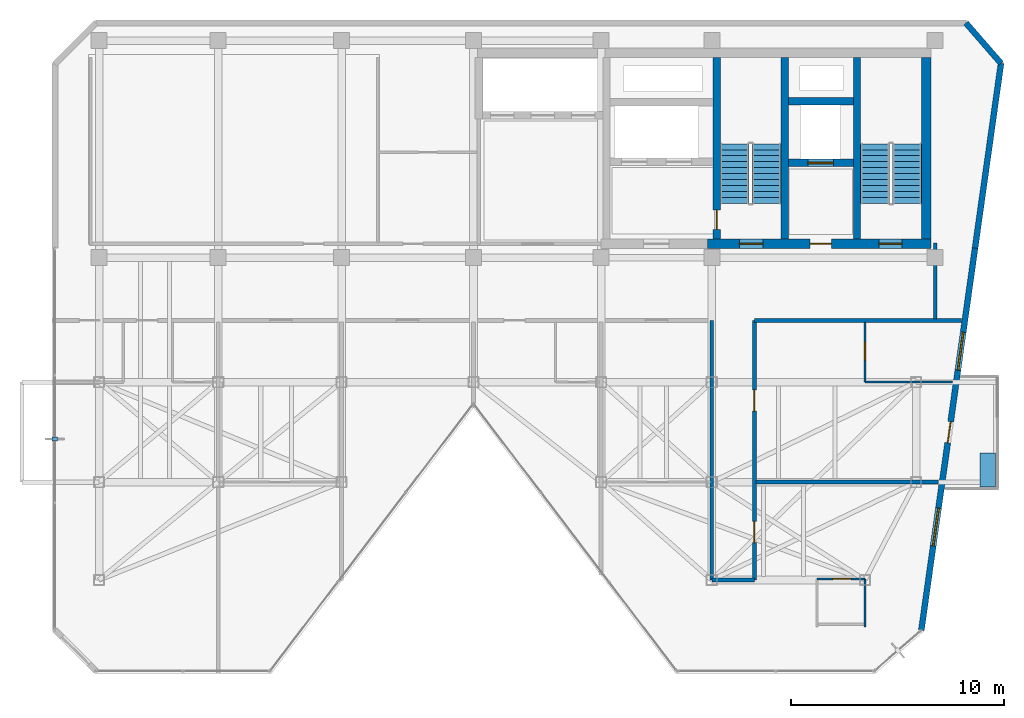
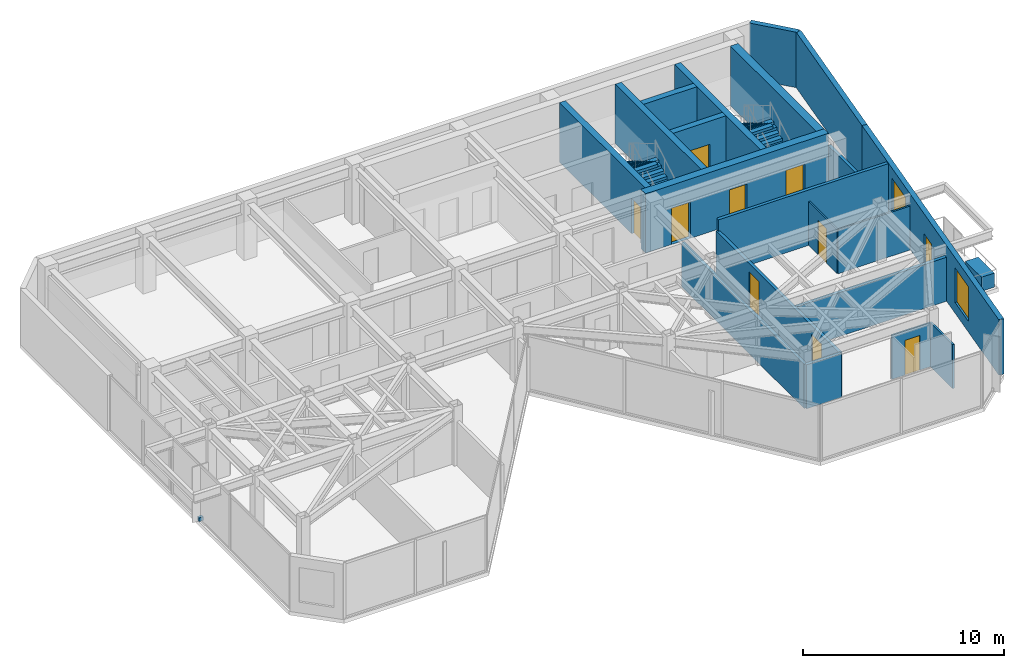
# One storey, part 17 of 20: 20 walls, 10 doors, 4 stair flights, 2 discrete accessories, 2 windows, 12 openings, 2 elements without a shape of their own.
"""IFC4 building model written with IfcOpenShell, lengths in metres."""

from ifc_helpers import new_model, si_unit, direction, frame, frame_2d, origin, origin_2d, place, context, subcontext, project, spatial, polyline, rectangle, outline, extrude, material, layer, layer_set, type_object, element, fill, aggregate, save


model = new_model("IFC4")

# Units and contexts
model_context = context("Model", 3, precision=1e-05, world=origin(), true_north=direction((0.0, 1.0)))
body_context = subcontext(model_context, "Body", "Model", "MODEL_VIEW")
ifc_project = project(units=[si_unit("LENGTHUNIT", "METRE"), si_unit("AREAUNIT", "SQUARE_METRE"), si_unit("VOLUMEUNIT", "CUBIC_METRE"), si_unit("PLANEANGLEUNIT", "RADIAN"), si_unit("MASSUNIT", "GRAM", prefix="KILO")], contexts=[model_context])

# Site, building, storey
site_placement = place(None, origin())
site = spatial("IfcSite", under=ifc_project, at=site_placement, CompositionType="ELEMENT")
building_placement = place(site_placement, origin())
building = spatial("IfcBuilding", under=site, at=building_placement, Name="Kravanh Interchange Tower", CompositionType="ELEMENT")
storey_placement = place(building_placement, frame((0.0, 0.0, 252.60009765625)))
storey = spatial("IfcBuildingStorey", under=building, at=storey_placement, Name="L61", CompositionType="ELEMENT", Elevation=252.60009765625)

# Walls
ifc_material_1 = material(Name="Concrete C60/75", Category="concrete")
ifc_layer_1 = layer(ifc_material_1, 0.35009765625)
ifc_layer_set_1 = layer_set([ifc_layer_1], Name="Core Shear Wall Concrete C60/75 350mm")
wall_type_1 = type_object("IfcWallType", Name="Core Shear Wall Concrete C60/75 350mm", PredefinedType="SHEAR", material=ifc_layer_set_1)
for number, where, z_axis, x_axis, name in (
    (1, (62.824951171875, 38.22509765625, 0.0), (0.0, 0.0, 1.0), (0.0, 1.0, 0.0), "L61 Stair ST1 West Shear Wall"),
    (2, (59.425048828125, 38.22509765625, 0.0), (0.0, 0.0, 1.0), (0.0, 1.0, 0.0), "L61 Stair ST2 East Shear Wall"),
):
    element("IfcWall", number, at=place(storey_placement, frame(where, z_axis=z_axis, x_axis=x_axis)), inside=storey, type_object=wall_type_1, Name=name, PredefinedType="SHEAR", context=body_context, shape_type="SweptSolid", body=[
        extrude(rectangle(XDim=8.52490234375, YDim=0.35009765625, at=frame_2d((4.262451171875, 0.0))), origin(), (0.0, 0.0, 1.0), 3.599853515625),
    ])

# Wall, opening, door
wall_1_placement = place(storey_placement, frame((56.22509765625, 38.22509765625, 0.0), z_axis=(0.0, 0.0, 1.0), x_axis=(0.0, 1.0, 0.0)))
wall_1 = element("IfcWall", 3, at=wall_1_placement, inside=storey, type_object=wall_type_1, Name="L61 Stair ST2 West Shear Wall", PredefinedType="SHEAR", context=body_context, shape_type="SweptSolid", body=[
    extrude(rectangle(XDim=8.52490234375, YDim=0.35009765625, at=frame_2d((4.262451171875, 0.0))), origin(), (0.0, 0.0, 1.0), 3.599853515625),
])
opening_1_placement = place(wall_1_placement, frame((0.455078125, 0.0, 0.0)))
opening_1 = element("IfcOpeningElement", 4, at=opening_1_placement, cuts=wall_1, Name="Opening D-STAIR-90", PredefinedType="OPENING", context=body_context, shape_type="SweptSolid", body=[
    extrude(rectangle(XDim=0.89990234375, YDim=2.14990234375, at=frame_2d((0.449951171875, 1.074951171875))), frame((0.0, 0.18505859375, 0.0), z_axis=(0.0, -1.0, 0.0), x_axis=(1.0, 0.0, 0.0)), (0.0, 0.0, 1.0), 0.3701171875),
])
ifc_material_2 = material(Name="Structural Steel S355", Category="steel")
door_type_1 = type_object("IfcDoorType", Name="Fire-Rated Stair Lobby Door 900x2150", OperationType="NOTDEFINED", PredefinedType="DOOR", material=ifc_material_2)
door_1_placement = place(opening_1_placement, origin())
door_1 = element("IfcDoor", 5, at=door_1_placement, inside=storey, type_object=door_type_1, Name="L61 Firefighting Lobby to Stair ST2 Door", OperationType="SINGLE_SWING_LEFT", OverallHeight=2.14990234375, OverallWidth=0.89990234375, PredefinedType="DOOR", context=body_context, shape_type="SweptSolid", body=[
    extrude(rectangle(XDim=0.89990234375, YDim=2.14990234375, at=frame_2d((0.449951171875, 1.074951171875))), frame((0.0, 0.02490234375, 0.0), z_axis=(0.0, -1.0, 0.0), x_axis=(1.0, 0.0, 0.0)), (0.0, 0.0, 1.0), 0.050048828125),
])
fill(opening_1, door_1)

wall_2_placement = place(storey_placement, frame((59.60009765625, 41.800048828125, 0.0), z_axis=(0.0, 0.0, 1.0), x_axis=(1.0, 0.0, 0.0)))
wall_2 = element("IfcWall", 6, at=wall_2_placement, inside=storey, type_object=wall_type_1, Name="L61 Service Lift Shaft South Wall", PredefinedType="SHEAR", context=body_context, shape_type="SweptSolid", body=[
    extrude(rectangle(XDim=3.0498046875, YDim=0.35009765625, at=frame_2d((1.52490234375, 0.0))), origin(), (0.0, 0.0, 1.0), 3.599853515625),
])
opening_2_placement = place(wall_2_placement, frame((0.919921875, 0.0, 0.0)))
opening_2 = element("IfcOpeningElement", 7, at=opening_2_placement, cuts=wall_2, Name="Opening LD02", PredefinedType="OPENING", context=body_context, shape_type="SweptSolid", body=[
    extrude(rectangle(XDim=1.199951171875, YDim=2.199951171875, at=frame_2d((0.60009765625, 1.10009765625))), frame((0.0, 0.18505859375, 0.0), z_axis=(0.0, -1.0, 0.0), x_axis=(1.0, 0.0, 0.0)), (0.0, 0.0, 1.0), 0.3701171875),
])
ifc_material_3 = material(Name="Stainless Steel 316", Category="steel")
door_type_2 = type_object("IfcDoorType", Name="Fire and Service Lift Sliding Landing Door 1200x2200", OperationType="DOUBLE_DOOR_SLIDING", PredefinedType="DOOR", material=ifc_material_3)
door_2_placement = place(opening_2_placement, origin())
door_2 = element("IfcDoor", 8, at=door_2_placement, inside=storey, type_object=door_type_2, Name="L61 Lift LS-01 Landing Door", OperationType="DOUBLE_DOOR_SLIDING", OverallHeight=2.199951171875, OverallWidth=1.199951171875, PredefinedType="DOOR", context=body_context, shape_type="SweptSolid", body=[
    extrude(rectangle(XDim=1.199951171875, YDim=2.199951171875, at=frame_2d((0.60009765625, 1.10009765625))), frame((0.0, 0.02490234375, 0.0), z_axis=(0.0, -1.0, 0.0), x_axis=(1.0, 0.0, 0.0)), (0.0, 0.0, 1.0), 0.050048828125),
])
fill(opening_2, door_2)

# Wall
wall_3_placement = place(storey_placement, frame((59.60009765625, 44.699951171875, 0.0), z_axis=(0.0, 0.0, 1.0), x_axis=(1.0, 0.0, 0.0)))
element("IfcWall", 9, at=wall_3_placement, inside=storey, type_object=wall_type_1, Name="L61 Service Lift Shaft North Wall", PredefinedType="SHEAR", context=body_context, shape_type="SweptSolid", body=[
    extrude(rectangle(XDim=3.0498046875, YDim=0.35009765625, at=frame_2d((1.52490234375, 0.0))), origin(), (0.0, 0.0, 1.0), 3.599853515625),
])

# Wall, openings, doors
ifc_material_4 = material(Name="Concrete C60/75", Category="concrete")
ifc_layer_2 = layer(ifc_material_4, 0.449951171875)
ifc_layer_set_2 = layer_set([ifc_layer_2], Name="Core Shear Wall Concrete C60/75 450mm")
wall_type_2 = type_object("IfcWallType", Name="Core Shear Wall Concrete C60/75 450mm", PredefinedType="SHEAR", material=ifc_layer_set_2)
wall_4_placement = place(storey_placement, frame((55.800048828125, 38.0, 0.0), z_axis=(0.0, 0.0, 1.0), x_axis=(1.0, 0.0, 0.0)))
wall_4 = element("IfcWall", 10, at=wall_4_placement, inside=storey, type_object=wall_type_2, Name="L61 East Core South Shear Wall", PredefinedType="SHEAR", context=body_context, shape_type="SweptSolid", body=[
    extrude(rectangle(XDim=10.5, YDim=0.449951171875, at=frame_2d((5.25, 0.0))), origin(), (0.0, 0.0, 1.0), 3.599853515625),
])
opening_3_placement = place(wall_4_placement, frame((1.5, 0.0, 0.0)))
opening_3 = element("IfcOpeningElement", 11, at=opening_3_placement, cuts=wall_4, Name="Opening D-STAIR-110", PredefinedType="OPENING", context=body_context, shape_type="SweptSolid", body=[
    extrude(rectangle(XDim=1.10009765625, YDim=2.199951171875, at=frame_2d((0.550048828125, 1.10009765625))), frame((0.0, 0.23486328125, 0.0), z_axis=(0.0, -1.0, 0.0), x_axis=(1.0, 0.0, 0.0)), (0.0, 0.0, 1.0), 0.469970703125),
])
opening_4_placement = place(wall_4_placement, frame((4.820068359375, 0.0, 0.0)))
opening_4 = element("IfcOpeningElement", 12, at=opening_4_placement, cuts=wall_4, Name="Opening D-HOTEL-100", PredefinedType="OPENING", context=body_context, shape_type="SweptSolid", body=[
    extrude(rectangle(XDim=1.0, YDim=2.14990234375, at=frame_2d((0.5, 1.074951171875))), frame((0.0, 0.23486328125, 0.0), z_axis=(0.0, -1.0, 0.0), x_axis=(1.0, 0.0, 0.0)), (0.0, 0.0, 1.0), 0.469970703125),
])
opening_5_placement = place(wall_4_placement, frame((8.050048828125, 0.0, 0.0)))
opening_5 = element("IfcOpeningElement", 13, at=opening_5_placement, cuts=wall_4, Name="Opening D-STAIR-110", PredefinedType="OPENING", context=body_context, shape_type="SweptSolid", body=[
    extrude(rectangle(XDim=1.10009765625, YDim=2.199951171875, at=frame_2d((0.550048828125, 1.10009765625))), frame((0.0, 0.23486328125, 0.0), z_axis=(0.0, -1.0, 0.0), x_axis=(1.0, 0.0, 0.0)), (0.0, 0.0, 1.0), 0.469970703125),
])
ifc_material_5 = material(Name="Structural Steel S355", Category="steel")
door_type_3 = type_object("IfcDoorType", Name="Fire-Rated Exit Stair Door 1100x2200", OperationType="NOTDEFINED", PredefinedType="DOOR", material=ifc_material_5)
door_3_placement = place(opening_3_placement, origin())
door_3 = element("IfcDoor", 14, at=door_3_placement, inside=storey, type_object=door_type_3, Name="L61 Exit Stair ST2 Door", OperationType="SINGLE_SWING_RIGHT", OverallHeight=2.199951171875, OverallWidth=1.10009765625, PredefinedType="DOOR", context=body_context, shape_type="SweptSolid", body=[
    extrude(rectangle(XDim=1.10009765625, YDim=2.199951171875, at=frame_2d((0.550048828125, 1.10009765625))), frame((0.0, 0.02490234375, 0.0), z_axis=(0.0, -1.0, 0.0), x_axis=(1.0, 0.0, 0.0)), (0.0, 0.0, 1.0), 0.050048828125),
])
fill(opening_3, door_3)
door_4_placement = place(opening_5_placement, origin())
door_4 = element("IfcDoor", 15, at=door_4_placement, inside=storey, type_object=door_type_3, Name="L61 Exit Stair ST1 Door", OperationType="SINGLE_SWING_RIGHT", OverallHeight=2.199951171875, OverallWidth=1.10009765625, PredefinedType="DOOR", context=body_context, shape_type="SweptSolid", body=[
    extrude(rectangle(XDim=1.10009765625, YDim=2.199951171875, at=frame_2d((0.550048828125, 1.10009765625))), frame((0.0, 0.02490234375, 0.0), z_axis=(0.0, -1.0, 0.0), x_axis=(1.0, 0.0, 0.0)), (0.0, 0.0, 1.0), 0.050048828125),
])
fill(opening_5, door_4)
ifc_material_6 = material(Name="Fire-Rated Solid Timber Leaf", Category="wood")
door_type_4 = type_object("IfcDoorType", Name="Fire-Rated Suite Entrance Door 1000x2150", OperationType="NOTDEFINED", PredefinedType="DOOR", material=ifc_material_6)
door_5_placement = place(opening_4_placement, origin())
door_5 = element("IfcDoor", 16, at=door_5_placement, inside=storey, type_object=door_type_4, Name="L61 Service Lift Lobby Door", OperationType="SINGLE_SWING_RIGHT", OverallHeight=2.14990234375, OverallWidth=1.0, PredefinedType="DOOR", context=body_context, shape_type="SweptSolid", body=[
    extrude(rectangle(XDim=1.0, YDim=2.14990234375, at=frame_2d((0.5, 1.074951171875))), frame((0.0, 0.02490234375, 0.0), z_axis=(0.0, -1.0, 0.0), x_axis=(1.0, 0.0, 0.0)), (0.0, 0.0, 1.0), 0.050048828125),
])
fill(opening_4, door_5)

# Wall
wall_5_placement = place(storey_placement, frame((66.074951171875, 38.22509765625, 0.0), z_axis=(0.0, 0.0, 1.0), x_axis=(0.0, 1.0, 0.0)))
element("IfcWall", 17, at=wall_5_placement, inside=storey, type_object=wall_type_2, Name="L61 Stair ST1 East Shear Wall", PredefinedType="SHEAR", context=body_context, shape_type="SweptSolid", body=[
    extrude(rectangle(XDim=8.52490234375, YDim=0.449951171875, at=frame_2d((4.262451171875, 0.0))), origin(), (0.0, 0.0, 1.0), 3.599853515625),
])

# Wall, opening, door
ifc_material_7 = material(Name="Moisture-Resistant Gypsum Board and Mineral Wool")
ifc_layer_3 = layer(ifc_material_7, 0.10009765625)
ifc_layer_set_3 = layer_set([ifc_layer_3], Name="En-Suite Moisture-Resistant Partition 100mm")
wall_type_3 = type_object("IfcWallType", Name="En-Suite Moisture-Resistant Partition 100mm", PredefinedType="PARTITIONING", material=ifc_layer_set_3)
wall_6_placement = place(storey_placement, frame((60.949951171875, 22.25, 0.0), z_axis=(0.0, 0.0, 1.0), x_axis=(1.0, 0.0, 0.0)))
wall_6 = element("IfcWall", 18, at=wall_6_placement, inside=storey, type_object=wall_type_3, Name="L61 Interior Partition 16", PredefinedType="PARTITIONING", context=body_context, shape_type="SweptSolid", body=[
    extrude(rectangle(XDim=2.25, YDim=0.10009765625, at=frame_2d((1.125, 0.0))), origin(), (0.0, 0.0, 1.0), 2.663818359375),
])
opening_6_placement = place(wall_6_placement, frame((0.741455078125, 0.0, 0.0)))
opening_6 = element("IfcOpeningElement", 19, at=opening_6_placement, cuts=wall_6, Name="Opening D-85", PredefinedType="OPENING", context=body_context, shape_type="SweptSolid", body=[
    extrude(rectangle(XDim=0.85009765625, YDim=2.10009765625, at=frame_2d((0.425048828125, 1.050048828125))), frame((0.0, 0.06005859375, 0.0), z_axis=(0.0, -1.0, 0.0), x_axis=(1.0, 0.0, 0.0)), (0.0, 0.0, 1.0), 0.1201171875),
])
ifc_material_8 = material(Name="Engineered Teak Veneer Timber", Category="wood")
door_type_5 = type_object("IfcDoorType", Name="En-Suite Timber Door 850x2100", OperationType="NOTDEFINED", PredefinedType="DOOR", material=ifc_material_8)
door_6_placement = place(opening_6_placement, origin())
door_6 = element("IfcDoor", 20, at=door_6_placement, inside=storey, type_object=door_type_5, Name="L61 En-suite Bathroom Door", OperationType="SINGLE_SWING_RIGHT", OverallHeight=2.10009765625, OverallWidth=0.85009765625, PredefinedType="DOOR", context=body_context, shape_type="SweptSolid", body=[
    extrude(rectangle(XDim=0.85009765625, YDim=2.10009765625, at=frame_2d((0.425048828125, 1.050048828125))), frame((0.0, 0.02490234375, 0.0), z_axis=(0.0, -1.0, 0.0), x_axis=(1.0, 0.0, 0.0)), (0.0, 0.0, 1.0), 0.050048828125),
])
fill(opening_6, door_6)

# Walls
wall_7_placement = place(storey_placement, frame((63.199951171875, 20.0, 0.0), z_axis=(0.0, 0.0, 1.0), x_axis=(0.0, 1.0, 0.0)))
element("IfcWall", 21, at=wall_7_placement, inside=storey, type_object=wall_type_3, Name="L61 Interior Partition 18", PredefinedType="PARTITIONING", context=body_context, shape_type="SweptSolid", body=[
    extrude(rectangle(XDim=2.25, YDim=0.10009765625, at=frame_2d((1.125, 0.0))), origin(), (0.0, 0.0, 1.0), 2.663818359375),
])
wall_8_placement = place(storey_placement, frame((63.199951171875, 31.5, 0.0), z_axis=(0.0, 0.0, 1.0), x_axis=(1.0, 0.0, 0.0)))
element("IfcWall", 22, at=wall_8_placement, inside=storey, type_object=wall_type_3, Name="L61 Interior Partition 20", PredefinedType="PARTITIONING", context=body_context, shape_type="SweptSolid", body=[
    extrude(rectangle(XDim=4.123046875, YDim=0.10009765625, at=frame_2d((2.0615234375, 0.0))), origin(), (0.0, 0.0, 1.0), 2.663818359375),
])

# Wall, opening, door
wall_9_placement = place(storey_placement, frame((63.199951171875, 31.5, 0.0), z_axis=(0.0, 0.0, 1.0), x_axis=(0.0, 1.0, 0.0)))
wall_9 = element("IfcWall", 23, at=wall_9_placement, inside=storey, type_object=wall_type_3, Name="L61 Interior Partition 21", PredefinedType="PARTITIONING", context=body_context, shape_type="SweptSolid", body=[
    extrude(rectangle(XDim=2.83203125, YDim=0.10009765625, at=frame_2d((1.416015625, 0.0))), origin(), (0.0, 0.0, 1.0), 2.663818359375),
])
opening_7_placement = place(wall_9_placement, frame((1.02490234375, 0.0, 0.0)))
opening_7 = element("IfcOpeningElement", 24, at=opening_7_placement, cuts=wall_9, Name="Opening D-85", PredefinedType="OPENING", context=body_context, shape_type="SweptSolid", body=[
    extrude(rectangle(XDim=0.85009765625, YDim=2.10009765625, at=frame_2d((0.425048828125, 1.050048828125))), frame((0.0, 0.06005859375, 0.0), z_axis=(0.0, -1.0, 0.0), x_axis=(1.0, 0.0, 0.0)), (0.0, 0.0, 1.0), 0.1201171875),
])
door_7_placement = place(opening_7_placement, origin())
door_7 = element("IfcDoor", 25, at=door_7_placement, inside=storey, type_object=door_type_5, Name="L61 En-suite Bathroom Door", OperationType="SINGLE_SWING_RIGHT", OverallHeight=2.10009765625, OverallWidth=0.85009765625, PredefinedType="DOOR", context=body_context, shape_type="SweptSolid", body=[
    extrude(rectangle(XDim=0.85009765625, YDim=2.10009765625, at=frame_2d((0.425048828125, 1.050048828125))), frame((0.0, 0.02490234375, 0.0), z_axis=(0.0, -1.0, 0.0), x_axis=(1.0, 0.0, 0.0)), (0.0, 0.0, 1.0), 0.050048828125),
])
fill(opening_7, door_7)

# Walls
ifc_material_9 = material(Name="Insulated Precast Concrete C40/50 with Bronze Cladding", Category="concrete")
ifc_layer_4 = layer(ifc_material_9, 0.280029296875)
ifc_layer_set_4 = layer_set([ifc_layer_4], Name="Exterior Insulated Concrete C40/50 Bronze Spandrel Wall 280mm")
wall_type_4 = type_object("IfcWallType", Name="Exterior Insulated Concrete C40/50 Bronze Spandrel Wall 280mm", PredefinedType="STANDARD", material=ifc_layer_set_4)
wall_10_placement = place(storey_placement, frame((67.9453125, 48.3798828125, 0.0), z_axis=(0.0, 0.0, 1.0), x_axis=(0.656068147197, -0.75470165379, 0.0)))
element("IfcWall", 26, at=wall_10_placement, inside=storey, type_object=wall_type_4, Name="L61 Exterior Wall 4", PredefinedType="STANDARD", context=body_context, shape_type="SweptSolid", body=[
    extrude(rectangle(XDim=2.514892578125, YDim=0.280029296875, at=frame_2d((1.25732421875, 0.0))), origin(), (0.0, 0.0, 1.0), 3.35986328125),
])
wall_11_placement = place(storey_placement, frame((69.59521484375, 46.48193359375, 0.0), z_axis=(0.0, 0.0, 1.0), x_axis=(-0.139179310088, -0.990267196086, 0.0)))
element("IfcWall", 27, at=wall_11_placement, inside=storey, type_object=wall_type_4, Name="L61 Exterior Wall 5", PredefinedType="STANDARD", context=body_context, shape_type="SweptSolid", body=[
    extrude(rectangle(XDim=8.767333984375, YDim=0.280029296875, at=frame_2d((4.3837890625, 0.0))), origin(), (0.0, 0.0, 1.0), 3.35986328125),
])

# Wall, openings, door, windows
wall_12_placement = place(storey_placement, frame((68.375, 37.800048828125, 0.0), z_axis=(0.0, 0.0, 1.0), x_axis=(-0.13917438523, -0.990267888248, 0.0)))
wall_12 = element("IfcWall", 28, at=wall_12_placement, inside=storey, type_object=wall_type_4, Name="L61 Exterior Wall 6", PredefinedType="STANDARD", context=body_context, shape_type="SweptSolid", body=[
    extrude(rectangle(XDim=18.135009765625, YDim=0.280029296875, at=frame_2d((9.0673828125, 0.0))), origin(), (0.0, 0.0, 1.0), 3.35986328125),
])
opening_8_placement = place(wall_12_placement, frame((8.23828125, 0.0, 0.0)))
opening_8 = element("IfcOpeningElement", 29, at=opening_8_placement, cuts=wall_12, Name="Opening ED-BAL100", PredefinedType="OPENING", context=body_context, shape_type="SweptSolid", body=[
    extrude(rectangle(XDim=1.0, YDim=2.14990234375, at=frame_2d((0.5, 1.074951171875))), frame((0.0, 0.14990234375, 0.0), z_axis=(0.0, -1.0, 0.0), x_axis=(1.0, 0.0, 0.0)), (0.0, 0.0, 1.0), 0.300048828125),
])
opening_9_placement = place(wall_12_placement, frame((3.997314453125, 0.0, 0.64990234375)))
opening_9 = element("IfcOpeningElement", 30, at=opening_9_placement, cuts=wall_12, Name="Opening WN-180X210", PredefinedType="OPENING", context=body_context, shape_type="SweptSolid", body=[
    extrude(rectangle(XDim=1.800048828125, YDim=2.10009765625, at=frame_2d((0.89990234375, 1.050048828125))), frame((0.0, 0.14990234375, 0.0), z_axis=(0.0, -1.0, 0.0), x_axis=(1.0, 0.0, 0.0)), (0.0, 0.0, 1.0), 0.300048828125),
])
opening_10_placement = place(wall_12_placement, frame((12.337646484375, 0.0, 0.64990234375)))
opening_10 = element("IfcOpeningElement", 31, at=opening_10_placement, cuts=wall_12, Name="Opening WN-180X210", PredefinedType="OPENING", context=body_context, shape_type="SweptSolid", body=[
    extrude(rectangle(XDim=1.800048828125, YDim=2.10009765625, at=frame_2d((0.89990234375, 1.050048828125))), frame((0.0, 0.14990234375, 0.0), z_axis=(0.0, -1.0, 0.0), x_axis=(1.0, 0.0, 0.0)), (0.0, 0.0, 1.0), 0.300048828125),
])
ifc_material_10 = material(Name="Thermally Broken Bronze Aluminium and Laminated Glass", Category="aluminium")
door_type_6 = type_object("IfcDoorType", Name="Balcony Glazed Door 1000x2150", OperationType="NOTDEFINED", PredefinedType="DOOR", material=ifc_material_10)
door_8_placement = place(opening_8_placement, origin())
door_8 = element("IfcDoor", 32, at=door_8_placement, inside=storey, type_object=door_type_6, Name="L61 E Tree Balcony Access Door", OperationType="SINGLE_SWING_LEFT", OverallHeight=2.14990234375, OverallWidth=1.0, PredefinedType="DOOR", context=body_context, shape_type="SweptSolid", body=[
    extrude(rectangle(XDim=1.0, YDim=2.14990234375, at=frame_2d((0.5, 1.074951171875))), frame((0.0, 0.02490234375, 0.0), z_axis=(0.0, -1.0, 0.0), x_axis=(1.0, 0.0, 0.0)), (0.0, 0.0, 1.0), 0.050048828125),
])
fill(opening_8, door_8)
ifc_material_11 = material(Name="Thermally Broken Bronze Aluminium and Low-E Glass", Category="aluminium")
window_type = type_object("IfcWindowType", Name="Tower Pier Window 1800x2100", PartitioningType="SINGLE_PANEL", PredefinedType="WINDOW", material=ifc_material_11)
window_1_placement = place(opening_9_placement, origin())
window_1 = element("IfcWindow", 33, at=window_1_placement, inside=storey, type_object=window_type, Name="L61 Facade Window 6A", OverallHeight=2.10009765625, OverallWidth=1.800048828125, PartitioningType="SINGLE_PANEL", PredefinedType="WINDOW", context=body_context, shape_type="SweptSolid", body=[
    extrude(rectangle(XDim=1.800048828125, YDim=2.10009765625, at=frame_2d((0.89990234375, 1.050048828125))), frame((0.0, 0.030029296875, 0.0), z_axis=(0.0, -1.0, 0.0), x_axis=(1.0, 0.0, 0.0)), (0.0, 0.0, 1.0), 0.06005859375),
])
fill(opening_9, window_1)
window_2_placement = place(opening_10_placement, origin())
window_2 = element("IfcWindow", 34, at=window_2_placement, inside=storey, type_object=window_type, Name="L61 Facade Window 6B", OverallHeight=2.10009765625, OverallWidth=1.800048828125, PartitioningType="SINGLE_PANEL", PredefinedType="WINDOW", context=body_context, shape_type="SweptSolid", body=[
    extrude(rectangle(XDim=1.800048828125, YDim=2.10009765625, at=frame_2d((0.89990234375, 1.050048828125))), frame((0.0, 0.030029296875, 0.0), z_axis=(0.0, -1.0, 0.0), x_axis=(1.0, 0.0, 0.0)), (0.0, 0.0, 1.0), 0.06005859375),
])
fill(opening_10, window_2)

# Walls
ifc_material_12 = material(Name="Autoclaved Aerated Concrete C30/37 Blockwork", Category="masonry")
ifc_layer_5 = layer(ifc_material_12, 0.179931640625)
ifc_layer_set_5 = layer_set([ifc_layer_5], Name="Fire-Rated Lobby and Corridor Wall Concrete C30/37 180mm")
wall_type_5 = type_object("IfcWallType", Name="Fire-Rated Lobby and Corridor Wall Concrete C30/37 180mm", PredefinedType="STANDARD", material=ifc_layer_set_5)
wall_13_placement = place(storey_placement, frame((58.0, 34.39990234375, 0.0), z_axis=(0.0, 0.0, 1.0), x_axis=(1.0, 0.0, 0.0)))
element("IfcWall", 35, at=wall_13_placement, inside=storey, type_object=wall_type_5, Name="L61 Interior Partition 8", PredefinedType="STANDARD", context=body_context, shape_type="SweptSolid", body=[
    extrude(rectangle(XDim=9.73046875, YDim=0.179931640625, at=frame_2d((4.865234375, 0.0))), origin(), (0.0, 0.0, 1.0), 3.35986328125),
])
wall_14_placement = place(storey_placement, frame((66.5, 34.468017578125, 0.0), z_axis=(0.0, 0.0, 1.0), x_axis=(0.0, 1.0, 0.0)))
element("IfcWall", 36, at=wall_14_placement, inside=storey, type_object=wall_type_5, Name="L61 Interior Partition 9", PredefinedType="STANDARD", context=body_context, shape_type="SweptSolid", body=[
    extrude(rectangle(XDim=3.58203125, YDim=0.179931640625, at=frame_2d((1.791015625, 0.0))), origin(), (0.0, 0.0, 1.0), 2.663818359375),
])
wall_15_placement = place(storey_placement, frame((56.0, 22.199951171875, 0.0), z_axis=(0.0, 0.0, 1.0), x_axis=(0.0, 1.0, 0.0)))
element("IfcWall", 37, at=wall_15_placement, inside=storey, type_object=wall_type_5, Name="L61 Interior Partition 10", PredefinedType="STANDARD", context=body_context, shape_type="SweptSolid", body=[
    extrude(rectangle(XDim=12.199951171875, YDim=0.179931640625, at=frame_2d((6.10009765625, 0.0))), origin(), (0.0, 0.0, 1.0), 2.663818359375),
])

# Wall, openings, doors
wall_16_placement = place(storey_placement, frame((58.0, 22.199951171875, 0.0), z_axis=(0.0, 0.0, 1.0), x_axis=(0.0, 1.0, 0.0)))
wall_16 = element("IfcWall", 38, at=wall_16_placement, inside=storey, type_object=wall_type_5, Name="L61 Interior Partition 11", PredefinedType="STANDARD", context=body_context, shape_type="SweptSolid", body=[
    extrude(rectangle(XDim=12.199951171875, YDim=0.179931640625, at=frame_2d((6.10009765625, 0.0))), origin(), (0.0, 0.0, 1.0), 2.663818359375),
])
opening_11_placement = place(wall_16_placement, frame((1.759521484375, 0.0, 0.0)))
opening_11 = element("IfcOpeningElement", 39, at=opening_11_placement, cuts=wall_16, Name="Opening D-HOTEL-100", PredefinedType="OPENING", context=body_context, shape_type="SweptSolid", body=[
    extrude(rectangle(XDim=1.0, YDim=2.14990234375, at=frame_2d((0.5, 1.074951171875))), frame((0.0, 0.10009765625, 0.0), z_axis=(0.0, -1.0, 0.0), x_axis=(1.0, 0.0, 0.0)), (0.0, 0.0, 1.0), 0.199951171875),
])
opening_12_placement = place(wall_16_placement, frame((7.93994140625, 0.0, 0.0)))
opening_12 = element("IfcOpeningElement", 40, at=opening_12_placement, cuts=wall_16, Name="Opening D-HOTEL-100", PredefinedType="OPENING", context=body_context, shape_type="SweptSolid", body=[
    extrude(rectangle(XDim=1.0, YDim=2.14990234375, at=frame_2d((0.5, 1.074951171875))), frame((0.0, 0.10009765625, 0.0), z_axis=(0.0, -1.0, 0.0), x_axis=(1.0, 0.0, 0.0)), (0.0, 0.0, 1.0), 0.199951171875),
])
door_9_placement = place(opening_11_placement, origin())
door_9 = element("IfcDoor", 41, at=door_9_placement, inside=storey, type_object=door_type_4, Name="L61 Corner Panorama Hotel Suite Entrance Door", OperationType="SINGLE_SWING_LEFT", OverallHeight=2.14990234375, OverallWidth=1.0, PredefinedType="DOOR", context=body_context, shape_type="SweptSolid", body=[
    extrude(rectangle(XDim=1.0, YDim=2.14990234375, at=frame_2d((0.5, 1.074951171875))), frame((0.0, 0.02490234375, 0.0), z_axis=(0.0, -1.0, 0.0), x_axis=(1.0, 0.0, 0.0)), (0.0, 0.0, 1.0), 0.050048828125),
])
fill(opening_11, door_9)
door_10_placement = place(opening_12_placement, origin())
door_10 = element("IfcDoor", 42, at=door_10_placement, inside=storey, type_object=door_type_4, Name="L61 Hotel Guest Room East Entrance Door", OperationType="SINGLE_SWING_LEFT", OverallHeight=2.14990234375, OverallWidth=1.0, PredefinedType="DOOR", context=body_context, shape_type="SweptSolid", body=[
    extrude(rectangle(XDim=1.0, YDim=2.14990234375, at=frame_2d((0.5, 1.074951171875))), frame((0.0, 0.02490234375, 0.0), z_axis=(0.0, -1.0, 0.0), x_axis=(1.0, 0.0, 0.0)), (0.0, 0.0, 1.0), 0.050048828125),
])
fill(opening_12, door_10)

# Walls
wall_17_placement = place(storey_placement, frame((56.0, 22.199951171875, 0.0), z_axis=(0.0, 0.0, 1.0), x_axis=(1.0, 0.0, 0.0)))
element("IfcWall", 43, at=wall_17_placement, inside=storey, type_object=wall_type_5, Name="L61 Interior Partition 12", PredefinedType="STANDARD", context=body_context, shape_type="SweptSolid", body=[
    extrude(rectangle(XDim=2.0, YDim=0.179931640625, at=frame_2d((1.0, 0.0))), origin(), (0.0, 0.0, 1.0), 2.663818359375),
])
wall_18_placement = place(storey_placement, frame((58.068115234375, 26.800048828125, 0.0), z_axis=(0.0, 0.0, 1.0), x_axis=(1.0, 0.0, 0.0)))
element("IfcWall", 44, at=wall_18_placement, inside=storey, type_object=wall_type_5, Name="L61 Interior Partition 15", PredefinedType="STANDARD", context=body_context, shape_type="SweptSolid", body=[
    extrude(rectangle(XDim=8.59423828125, YDim=0.179931640625, at=frame_2d((4.297119140625, 0.0))), origin(), (0.0, 0.0, 1.0), 2.663818359375),
])

# Stair, stair flights
ifc_material_13 = material(Name="Concrete C50/60", Category="concrete")
stair_type = type_object("IfcStairType", Name="Core Fire Exit Dogleg Stair Concrete C50/60", PredefinedType="HALF_TURN_STAIR", material=ifc_material_13)
stair_1_placement = place(storey_placement, origin())
stair_1 = element("IfcStair", 45, at=stair_1_placement, inside=storey, type_object=stair_type, Name="L61 Exit Stair ST1", PredefinedType="HALF_TURN_STAIR")
ifc_material_14 = material(Name="Precast Concrete C50/60", Category="concrete")
ifc_layer_6 = layer(ifc_material_14, 0.199951171875)
ifc_layer_set_6 = layer_set([ifc_layer_6], Name="Precast Concrete C50/60 Stair Flight 1350mm")
stair_flight_type = type_object("IfcStairFlightType", Name="Precast Concrete C50/60 Stair Flight 1350mm", PredefinedType="STRAIGHT", material=ifc_layer_set_6)
stair_flight_1_placement = place(storey_placement, frame((65.175048828125, 39.89990234375, 0.0), z_axis=(0.0, 0.0, 1.0), x_axis=(0.0, 1.0, 0.0)))
stair_flight_1 = element("IfcStairFlight", 46, at=stair_flight_1_placement, type_object=stair_flight_type, Name="ST1 flight 1", NumberOfRisers=11, NumberOfTreads=10, PredefinedType="STRAIGHT", RiserHeight=0.163636364, TreadLength=0.28, context=body_context, shape_type="SweptSolid", body=[
    extrude(outline(polyline([(0.0, 0.0), (0.0, 0.16357421875), (0.280029296875, 0.16357421875), (0.280029296875, 0.327392578125), (0.56005859375, 0.327392578125), (0.56005859375, 0.490966796875), (0.840087890625, 0.490966796875), (0.840087890625, 0.654541015625), (1.1201171875, 0.654541015625), (1.1201171875, 0.818115234375), (1.39990234375, 0.818115234375), (1.39990234375, 0.98193359375), (1.679931640625, 0.98193359375), (1.679931640625, 1.1455078125), (1.9599609375, 1.1455078125), (1.9599609375, 1.30908203125), (2.239990234375, 1.30908203125), (2.239990234375, 1.47265625), (2.52001953125, 1.47265625), (2.52001953125, 1.636474609375), (2.800048828125, 1.636474609375), (2.800048828125, 1.800048828125), (2.800048828125, 1.462646484375), (0.297119140625, 0.0), (0.0, 0.0)])), frame((0.0, 0.675048828125, 0.0), z_axis=(0.0, -1.0, 0.0), x_axis=(1.0, 0.0, 0.0)), (0.0, 0.0, 1.0), 1.35009765625),
])
stair_flight_2_placement = place(storey_placement, frame((63.675048828125, 42.699951171875, 1.7998046875), z_axis=(0.0, 0.0, 1.0), x_axis=(0.0, -1.0, 0.0)))
stair_flight_2 = element("IfcStairFlight", 47, at=stair_flight_2_placement, type_object=stair_flight_type, Name="ST1 flight 2", NumberOfRisers=11, NumberOfTreads=10, PredefinedType="STRAIGHT", RiserHeight=0.163636364, TreadLength=0.28, context=body_context, shape_type="SweptSolid", body=[
    extrude(outline(polyline([(0.0, 0.0), (0.0, 0.16357421875), (0.280029296875, 0.16357421875), (0.280029296875, 0.327392578125), (0.56005859375, 0.327392578125), (0.56005859375, 0.490966796875), (0.840087890625, 0.490966796875), (0.840087890625, 0.654541015625), (1.1201171875, 0.654541015625), (1.1201171875, 0.818115234375), (1.39990234375, 0.818115234375), (1.39990234375, 0.98193359375), (1.679931640625, 0.98193359375), (1.679931640625, 1.1455078125), (1.9599609375, 1.1455078125), (1.9599609375, 1.30908203125), (2.239990234375, 1.30908203125), (2.239990234375, 1.47265625), (2.52001953125, 1.47265625), (2.52001953125, 1.636474609375), (2.800048828125, 1.636474609375), (2.800048828125, 1.800048828125), (2.800048828125, 1.462646484375), (0.297119140625, 0.0), (0.0, 0.0)])), frame((0.0, 0.675048828125, 0.0), z_axis=(0.0, -1.0, 0.0), x_axis=(1.0, 0.0, 0.0)), (0.0, 0.0, 1.0), 1.35009765625),
])
aggregate(stair_1, [stair_flight_1, stair_flight_2])

stair_2_placement = place(storey_placement, origin())
stair_2 = element("IfcStair", 48, at=stair_2_placement, inside=storey, type_object=stair_type, Name="L61 Exit Stair ST2", PredefinedType="HALF_TURN_STAIR")
stair_flight_3_placement = place(storey_placement, frame((58.574951171875, 39.89990234375, 0.0), z_axis=(0.0, 0.0, 1.0), x_axis=(0.0, 1.0, 0.0)))
stair_flight_3 = element("IfcStairFlight", 49, at=stair_flight_3_placement, type_object=stair_flight_type, Name="ST2 flight 1", NumberOfRisers=11, NumberOfTreads=10, PredefinedType="STRAIGHT", RiserHeight=0.163636364, TreadLength=0.28, context=body_context, shape_type="SweptSolid", body=[
    extrude(outline(polyline([(0.0, 0.0), (0.0, 0.16357421875), (0.280029296875, 0.16357421875), (0.280029296875, 0.327392578125), (0.56005859375, 0.327392578125), (0.56005859375, 0.490966796875), (0.840087890625, 0.490966796875), (0.840087890625, 0.654541015625), (1.1201171875, 0.654541015625), (1.1201171875, 0.818115234375), (1.39990234375, 0.818115234375), (1.39990234375, 0.98193359375), (1.679931640625, 0.98193359375), (1.679931640625, 1.1455078125), (1.9599609375, 1.1455078125), (1.9599609375, 1.30908203125), (2.239990234375, 1.30908203125), (2.239990234375, 1.47265625), (2.52001953125, 1.47265625), (2.52001953125, 1.636474609375), (2.800048828125, 1.636474609375), (2.800048828125, 1.800048828125), (2.800048828125, 1.462646484375), (0.297119140625, 0.0), (0.0, 0.0)])), frame((0.0, 0.675048828125, 0.0), z_axis=(0.0, -1.0, 0.0), x_axis=(1.0, 0.0, 0.0)), (0.0, 0.0, 1.0), 1.35009765625),
])
stair_flight_4_placement = place(storey_placement, frame((57.074951171875, 42.699951171875, 1.7998046875), z_axis=(0.0, 0.0, 1.0), x_axis=(0.0, -1.0, 0.0)))
stair_flight_4 = element("IfcStairFlight", 50, at=stair_flight_4_placement, type_object=stair_flight_type, Name="ST2 flight 2", NumberOfRisers=11, NumberOfTreads=10, PredefinedType="STRAIGHT", RiserHeight=0.163636364, TreadLength=0.28, context=body_context, shape_type="SweptSolid", body=[
    extrude(outline(polyline([(0.0, 0.0), (0.0, 0.16357421875), (0.280029296875, 0.16357421875), (0.280029296875, 0.327392578125), (0.56005859375, 0.327392578125), (0.56005859375, 0.490966796875), (0.840087890625, 0.490966796875), (0.840087890625, 0.654541015625), (1.1201171875, 0.654541015625), (1.1201171875, 0.818115234375), (1.39990234375, 0.818115234375), (1.39990234375, 0.98193359375), (1.679931640625, 0.98193359375), (1.679931640625, 1.1455078125), (1.9599609375, 1.1455078125), (1.9599609375, 1.30908203125), (2.239990234375, 1.30908203125), (2.239990234375, 1.47265625), (2.52001953125, 1.47265625), (2.52001953125, 1.636474609375), (2.800048828125, 1.636474609375), (2.800048828125, 1.800048828125), (2.800048828125, 1.462646484375), (0.297119140625, 0.0), (0.0, 0.0)])), frame((0.0, 0.675048828125, 0.0), z_axis=(0.0, -1.0, 0.0), x_axis=(1.0, 0.0, 0.0)), (0.0, 0.0, 1.0), 1.35009765625),
])
aggregate(stair_2, [stair_flight_3, stair_flight_4])

# Discrete accessories
ifc_material_15 = material(Name="Stainless Steel 316", Category="steel")
discrete_accessory_type_1 = type_object("IfcDiscreteAccessoryType", Name="Solar Fin Curtain-Wall Mounting Bracket Stainless 316", PredefinedType="BRACKET", material=ifc_material_15)
discrete_accessory_1_placement = place(storey_placement, frame((25.1201171875, 28.824951171875, 0.0), z_axis=(0.0, 0.0, 1.0), x_axis=(-1.0, 0.0, 0.0)))
element("IfcDiscreteAccessory", 51, at=discrete_accessory_1_placement, inside=storey, type_object=discrete_accessory_type_1, Name="L61 Solar Fin Mounting Bracket 1", PredefinedType="BRACKET", context=body_context, shape_type="SweptSolid", body=[
    extrude(rectangle(XDim=0.239990234375, YDim=0.179931640625, at=origin_2d()), origin(), (0.0, 0.0, 1.0), 0.219970703125),
])
ifc_material_16 = material(Name="Architectural GRC Concrete C40/50 with Root Barrier", Category="concrete")
discrete_accessory_type_2 = type_object("IfcDiscreteAccessoryType", Name="Structural Balcony Tree Planter Box Concrete C40/50 1600x750x850", PredefinedType="USERDEFINED", material=ifc_material_16)
discrete_accessory_2_placement = place(storey_placement, frame((68.969970703125, 27.3798828125, -0.000244140625), z_axis=(0.0, 0.0, 1.0), x_axis=(1.0, 0.0, 0.0)))
element("IfcDiscreteAccessory", 52, at=discrete_accessory_2_placement, inside=storey, type_object=discrete_accessory_type_2, Name="L61 E Balcony TREE PLANTER", ObjectType="PLANTER", PredefinedType="USERDEFINED", context=body_context, shape_type="SweptSolid", body=[
    extrude(rectangle(XDim=0.75, YDim=1.60009765625, at=origin_2d()), origin(), (0.0, 0.0, 1.0), 0.85009765625),
])

save(model, "model.ifc")
